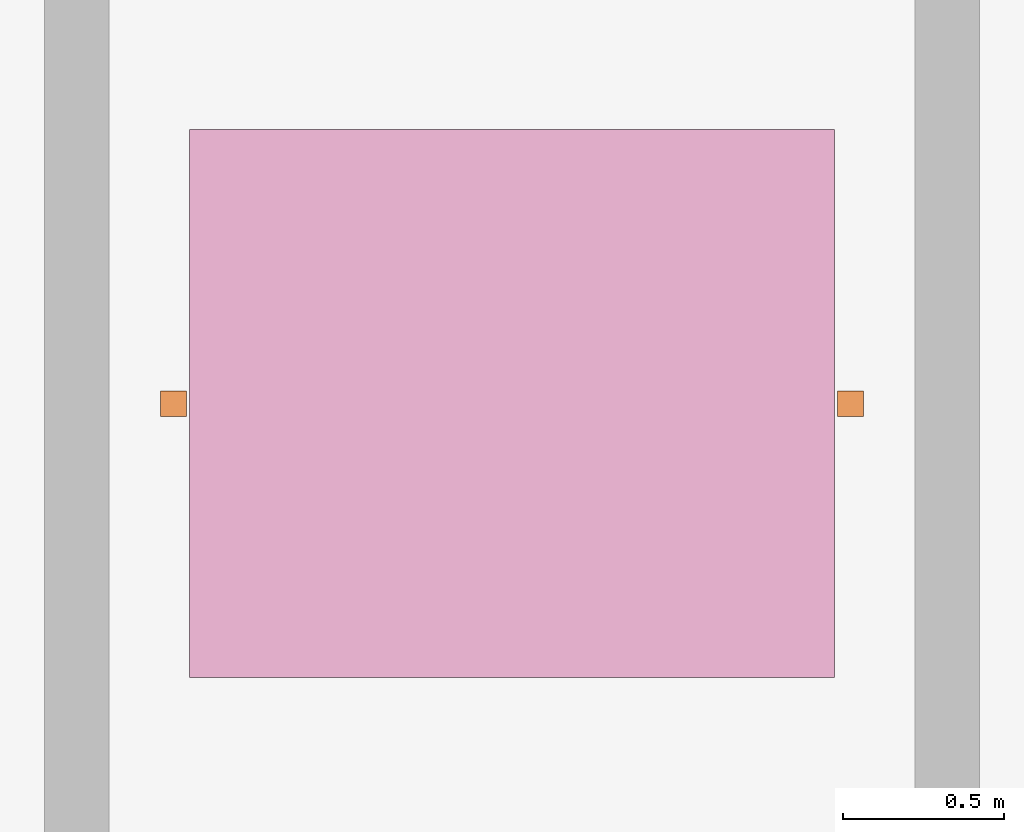
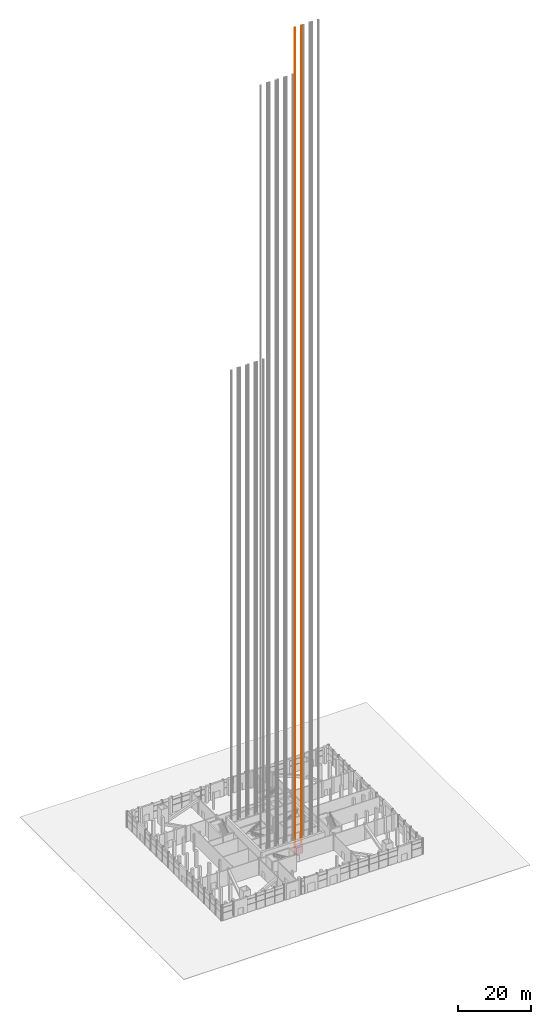
# One storey, part 21 of 27: 2 proxies, 1 transport element.
"""IFC4 building model written with IfcOpenShell, lengths in metres."""

from ifc_helpers import new_model, si_unit, direction, frame, origin, origin_2d, place, context, subcontext, project, spatial, rectangle, extrude, material, type_object, element, aggregate, save


model = new_model("IFC4")

# Units and contexts
model_context = context("Model", 3, precision=1e-05, world=origin(), true_north=direction((0.0, 1.0)))
body_context = subcontext(model_context, "Body", "Model", "MODEL_VIEW")
ifc_project = project(units=[si_unit("LENGTHUNIT", "METRE"), si_unit("AREAUNIT", "SQUARE_METRE"), si_unit("VOLUMEUNIT", "CUBIC_METRE"), si_unit("PLANEANGLEUNIT", "RADIAN"), si_unit("MASSUNIT", "GRAM", prefix="KILO")], contexts=[model_context])

# Site, building, storey
site_placement = place(None, origin())
site = spatial("IfcSite", under=ifc_project, at=site_placement, CompositionType="ELEMENT")
building_placement = place(site_placement, origin())
building = spatial("IfcBuilding", under=site, at=building_placement, Name="Turquesa Mirador Hotel Tower", CompositionType="ELEMENT")
storey_placement = place(building_placement, origin())
storey = spatial("IfcBuildingStorey", under=building, at=storey_placement, Name="L00", CompositionType="ELEMENT", Elevation=0.0)

# Transport element, proxies
ifc_material_1 = material(Name="Stainless steel lift car", Category="steel")
transport_element_type = type_object("IfcTransportElementType", Name="PASSENGER LIFT 1600 KG", PredefinedType="ELEVATOR", material=ifc_material_1)
transport_element_placement = place(storey_placement, frame((57.64990234375, 36.949951171875, 0.0), z_axis=(0.0, 0.0, 1.0), x_axis=(1.0, 0.0, 0.0)))
transport_element = element("IfcTransportElement", 1, at=transport_element_placement, inside=storey, type_object=transport_element_type, Name="Lift X1", PredefinedType="ELEVATOR", context=body_context, shape_type="SweptSolid", body=[
    extrude(rectangle(XDim=2.0, YDim=1.699951171875, at=origin_2d()), origin(), (0.0, 0.0, 1.0), 2.39990234375),
])
ifc_material_2 = material(Name="Steel ASTM A992 Grade 50", Category="steel")
building_element_proxy_type = type_object("IfcBuildingElementProxyType", Name="LIFT GUIDE RAIL 80X80", PredefinedType="USERDEFINED", material=ifc_material_2)
proxy_1_placement = place(storey_placement, frame((56.60009765625, 36.949951171875, 0.0), z_axis=(0.0, 0.0, 1.0), x_axis=(1.0, 0.0, 0.0)))
proxy_1 = element("IfcBuildingElementProxy", 2, at=proxy_1_placement, type_object=building_element_proxy_type, Name="Lift X1 guide rail 1", ObjectType="LIFT GUIDE RAIL", PredefinedType="USERDEFINED", context=body_context, shape_type="SweptSolid", body=[
    extrude(rectangle(XDim=0.080078125, YDim=0.080078125, at=origin_2d()), origin(), (0.0, 0.0, 1.0), 277.10009765625),
])
proxy_2_placement = place(storey_placement, frame((58.699951171875, 36.949951171875, 0.0), z_axis=(0.0, 0.0, 1.0), x_axis=(1.0, 0.0, 0.0)))
proxy_2 = element("IfcBuildingElementProxy", 3, at=proxy_2_placement, type_object=building_element_proxy_type, Name="Lift X1 guide rail 2", ObjectType="LIFT GUIDE RAIL", PredefinedType="USERDEFINED", context=body_context, shape_type="SweptSolid", body=[
    extrude(rectangle(XDim=0.080078125, YDim=0.080078125, at=origin_2d()), origin(), (0.0, 0.0, 1.0), 277.10009765625),
])
aggregate(transport_element, [proxy_1, proxy_2])

save(model, "model.ifc")
